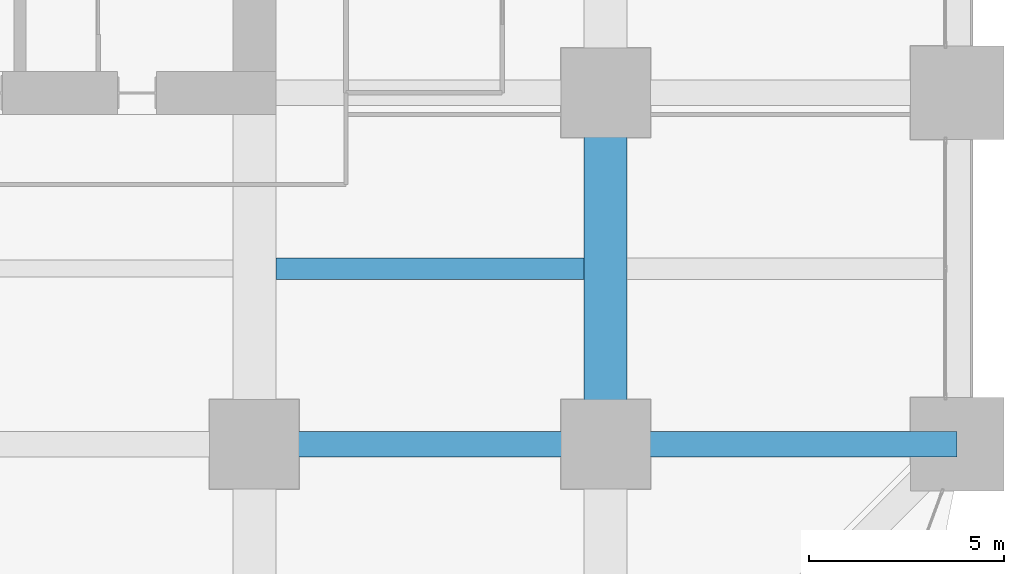
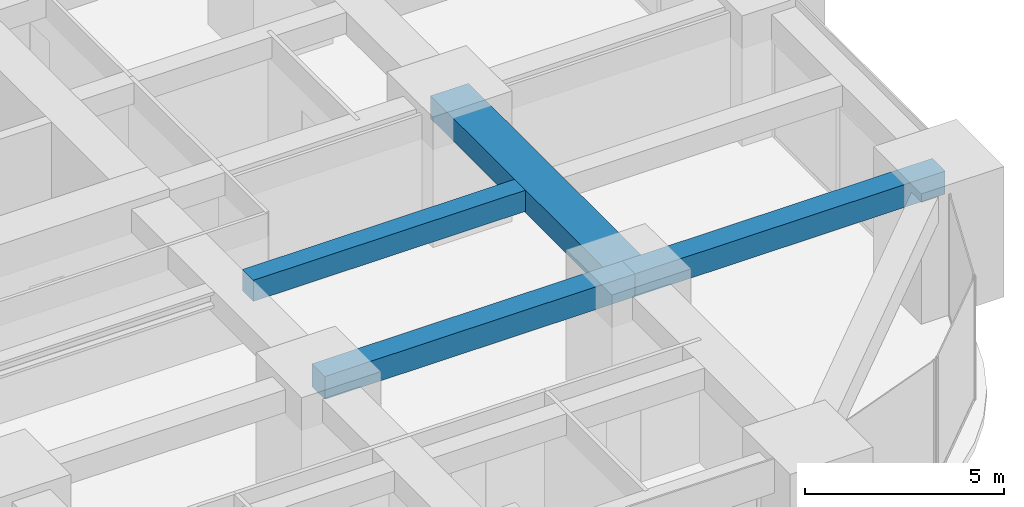
# One storey, part 17 of 45: 4 beams.
"""IFC4 building model written with IfcOpenShell, lengths in metres."""

import ifcopenshell
import ifcopenshell.guid

model = None  # the IFC model being written
_history = None  # IfcOwnerHistory: only IFC2X3 demands one
_inside = {}  # id of a spatial element -> (the spatial element, [elements in it])
_under = {}  # id of a project, library or spatial element -> (it, [spatial elements below it])
_declared = {}  # id of a project -> (the project, [libraries it declares])
_typed = {}  # id of a type object -> (the type object, [elements of that type])
_made_of = {}  # id of a material, layer set ... -> (it, [elements and type objects made of it])


def new_model(schema):
    """Start an empty IFC model of exactly this schema.

    Asked for "IFC4X3", IfcOpenShell would pick the latest addendum, in which some entities
    have other attributes; the version numbers below select the first issue.
    IFC2X3 requires an IfcOwnerHistory on every rooted entity: one is made here for all.
    """
    global model, _history
    if schema == "IFC4X3":
        model = ifcopenshell.file(schema_version=(4, 3, 0, 0))
    else:
        model = ifcopenshell.file(schema=schema)
    _inside.clear()
    _under.clear()
    _declared.clear()
    _typed.clear()
    _made_of.clear()
    _history = None
    if model.schema == "IFC2X3":
        org = make("IfcOrganization", Name="unknown")
        user = make(
            "IfcPersonAndOrganization",
            ThePerson=make("IfcPerson", FamilyName="unknown"),
            TheOrganization=org,
        )
        app = make(
            "IfcApplication",
            ApplicationDeveloper=org,
            Version="unknown",
            ApplicationFullName="unknown",
            ApplicationIdentifier="unknown",
        )
        _history = make(
            "IfcOwnerHistory",
            OwningUser=user,
            OwningApplication=app,
            ChangeAction="ADDED",
            CreationDate=0,
        )
    return model


def make(cls, **values):
    """One entity of the class cls with the attributes given. An attribute that is None is left unset."""
    return model.create_entity(
        cls, **{name: value for name, value in values.items() if value is not None}
    )


def rooted(cls, **values):
    """An entity with a GlobalId (a new one), such as an element, a storey or a relation."""
    return make(cls, GlobalId=ifcopenshell.guid.new(), OwnerHistory=_history, **values)


def si_unit(unit_type, name, prefix=None):
    """IfcSIUnit, for example si_unit("LENGTHUNIT", "METRE", prefix="MILLI")."""
    return make("IfcSIUnit", UnitType=unit_type, Prefix=prefix, Name=name)


def assignment(units):
    """IfcUnitAssignment: the units of a project."""
    return None if units is None else make("IfcUnitAssignment", Units=units)


def point(xyz):
    """IfcCartesianPoint."""
    return None if xyz is None else make("IfcCartesianPoint", Coordinates=xyz)


def direction(xyz):
    """IfcDirection."""
    return None if xyz is None else make("IfcDirection", DirectionRatios=xyz)


def frame(location, z_axis=None, x_axis=None):
    """IfcAxis2Placement3D, a coordinate frame: its origin and axes. An axis left out is left unset."""
    return make(
        "IfcAxis2Placement3D",
        Location=point(location),
        Axis=direction(z_axis),
        RefDirection=direction(x_axis),
    )


def frame_2d(location, x_axis=None):
    """IfcAxis2Placement2D, a coordinate frame in the plane: its origin and x axis."""
    return make(
        "IfcAxis2Placement2D", Location=point(location), RefDirection=direction(x_axis)
    )


def origin():
    """The frame at (0, 0, 0) with its axes left unset."""
    return frame((0.0, 0.0, 0.0))


def origin_2d():
    """The frame at (0, 0) in the plane with its x axis left unset."""
    return frame_2d((0.0, 0.0))


def place(relative_to, where):
    """IfcLocalPlacement: puts the frame where relative to a parent placement (None: the world)."""
    return make(
        "IfcLocalPlacement", PlacementRelTo=relative_to, RelativePlacement=where
    )


def context(
    kind, dimensions, precision=None, world=None, true_north=None, identifier=None
):
    """IfcGeometricRepresentationContext, for example the 3D "Model" context."""
    return make(
        "IfcGeometricRepresentationContext",
        ContextIdentifier=identifier,
        ContextType=kind,
        CoordinateSpaceDimension=dimensions,
        Precision=precision,
        WorldCoordinateSystem=world,
        TrueNorth=true_north,
    )


def subcontext(parent, identifier, kind, view, scale=None):
    """IfcGeometricRepresentationSubContext, for example "Body" below "Model"."""
    return make(
        "IfcGeometricRepresentationSubContext",
        ContextIdentifier=identifier,
        ContextType=kind,
        ParentContext=parent,
        TargetScale=scale,
        TargetView=view,
    )


def project(units=None, contexts=None):
    """IfcProject with its units and contexts."""
    return rooted(
        "IfcProject",
        Name="project",
        RepresentationContexts=contexts,
        UnitsInContext=assignment(units),
    )


def spatial(cls, under=None, at=None, **own):
    """A site, building, storey or space (cls), placed at a placement, below another one or the project."""
    s = rooted(cls, ObjectPlacement=at, **own)
    if under is not None:
        _under.setdefault(under.id(), (under, []))[1].append(s)
    return s


def profile(cls, at=None, kind="AREA", **sizes):
    """A parametric profile (cls). Its sizes go by their IFC names, for example OverallWidth=200.0."""
    return make(cls, ProfileType=kind, Position=at, **sizes)


def rectangle(**sizes):
    """IfcRectangleProfileDef."""
    return profile("IfcRectangleProfileDef", **sizes)


def extrude(swept, where, along, depth):
    """IfcExtrudedAreaSolid: the profile swept, set in the frame where, extruded along a direction by depth."""
    return make(
        "IfcExtrudedAreaSolid",
        SweptArea=swept,
        Position=where,
        ExtrudedDirection=direction(along),
        Depth=depth,
    )


def shape(context_of_items, identifier, shape_type, items):
    """IfcShapeRepresentation: the items that make up one representation, for example the "Body"."""
    return make(
        "IfcShapeRepresentation",
        ContextOfItems=context_of_items,
        RepresentationIdentifier=identifier,
        RepresentationType=shape_type,
        Items=items,
    )


def material(Name=None, Category=None):
    """IfcMaterial."""
    return make("IfcMaterial", Name=Name, Category=Category)


def material_profile(
    of_material, cross_section, Name=None, Category=None, Priority=None
):
    """IfcMaterialProfile: a cross section and its material."""
    return make(
        "IfcMaterialProfile",
        Name=Name,
        Material=of_material,
        Profile=cross_section,
        Priority=Priority,
        Category=Category,
    )


def profile_set(profiles, Name=None, composite=None):
    """IfcMaterialProfileSet."""
    return make(
        "IfcMaterialProfileSet",
        Name=Name,
        MaterialProfiles=profiles,
        CompositeProfile=composite,
    )


def made_of(thing, what):
    """Note that an element or type object is made of a material, layer set ...; save() writes the relation."""
    if what is not None:
        _made_of.setdefault(what.id(), (what, []))[1].append(thing)
    return thing


def type_object(cls, material=None, **own):
    """A type object (cls), such as IfcWallType, which elements share."""
    return made_of(rooted(cls, **own), material)


def element(
    cls,
    number,
    at=None,
    inside=None,
    cuts=None,
    type_object=None,
    material=None,
    context=None,
    identifier="Body",
    shape_type=None,
    held_by="IfcProductDefinitionShape",
    body=None,
    shapes=None,
    **own,
):
    """One element of the class cls, such as IfcWall. Its Tag is "e" and its number.

    at: its placement. inside: the storey or other place that contains it. cuts: it is an
    opening in that element (IfcRelVoidsElement). A single representation is given by context,
    identifier, shape_type and body (its items); several are given by shapes. held_by: the class
    of the entity that holds the representations. save() writes the other relations.
    """
    e = rooted(cls, Tag="e%d" % number, ObjectPlacement=at, **own)
    if body is not None:
        shapes = [shape(context, identifier, shape_type, body)]
    if shapes is not None:
        e.Representation = make(held_by, Representations=shapes)
    if inside is not None:
        _inside.setdefault(inside.id(), (inside, []))[1].append(e)
    if cuts is not None:
        rooted(
            "IfcRelVoidsElement", RelatingBuildingElement=cuts, RelatedOpeningElement=e
        )
    if type_object is not None:
        _typed.setdefault(type_object.id(), (type_object, []))[1].append(e)
    return made_of(e, material)


def aggregate(whole, parts):
    """IfcRelAggregates: a whole, such as a stair, and the parts it consists of."""
    return rooted("IfcRelAggregates", RelatingObject=whole, RelatedObjects=parts)


def save(model, path):
    """Write the relations noted so far, then the file.

    IfcRelAggregates (storeys below a building ...), IfcRelContainedInSpatialStructure (elements
    in a storey), IfcRelDefinesByType, IfcRelAssociatesMaterial and IfcRelDeclares: one each for
    every whole, place, type object, material and project.
    """
    for whole, parts in _under.values():
        aggregate(whole, parts)
    for where, things in _inside.values():
        rooted(
            "IfcRelContainedInSpatialStructure",
            RelatedElements=things,
            RelatingStructure=where,
        )
    for kind, things in _typed.values():
        rooted("IfcRelDefinesByType", RelatedObjects=things, RelatingType=kind)
    for what, things in _made_of.values():
        rooted("IfcRelAssociatesMaterial", RelatedObjects=things, RelatingMaterial=what)
    for by, libraries in _declared.values():
        rooted("IfcRelDeclares", RelatingContext=by, RelatedDefinitions=libraries)
    model.write(path)


model = new_model("IFC4")

# Units and contexts
model_context = context("Model", 3, precision=1e-05, world=origin(), true_north=direction((0.0, 1.0)))
body_context = subcontext(model_context, "Body", "Model", "MODEL_VIEW")
ifc_project = project(units=[si_unit("LENGTHUNIT", "METRE"), si_unit("AREAUNIT", "SQUARE_METRE"), si_unit("VOLUMEUNIT", "CUBIC_METRE"), si_unit("PLANEANGLEUNIT", "RADIAN"), si_unit("MASSUNIT", "GRAM", prefix="KILO")], contexts=[model_context])

# Site, building, storey
site_placement = place(None, origin())
site = spatial("IfcSite", under=ifc_project, at=site_placement, CompositionType="ELEMENT")
building_placement = place(site_placement, origin())
building = spatial("IfcBuilding", under=site, at=building_placement, Name="Zorevar Civic Tower", CompositionType="ELEMENT")
storey_placement = place(building_placement, frame((0.0, 0.0, 47.800048828125)))
storey = spatial("IfcBuildingStorey", under=building, at=storey_placement, Name="L11", CompositionType="ELEMENT", Elevation=47.800048828125)

# Beams
ifc_material_1 = material(Name="Concrete C50/60", Category="concrete")
ifc_material_profile_1 = material_profile(ifc_material_1, rectangle(XDim=1.10009765625, YDim=0.699951171875, at=origin_2d()), Name="RC 1100x700")
ifc_profile_set_1 = profile_set([ifc_material_profile_1], Name="Concrete C50/60")
beam_type_1 = type_object("IfcBeamType", Name="Beam RC 1100x700", PredefinedType="BEAM", material=ifc_profile_set_1)
beam_1_placement = place(storey_placement, frame((54.0, 9.0, 3.39990234375), z_axis=(0.0, 1.0, 0.0), x_axis=(-1.0, 0.0, 0.0)))
element("IfcBeam", 1, at=beam_1_placement, inside=storey, type_object=beam_type_1, Name="Girder L12", PredefinedType="BEAM", context=body_context, shape_type="SweptSolid", body=[
    extrude(rectangle(XDim=1.10009765625, YDim=0.699951171875, at=origin_2d()), origin(), (0.0, 0.0, 1.0), 9.0),
])
ifc_material_2 = material(Name="Concrete C50/60", Category="concrete")
ifc_material_profile_2 = material_profile(ifc_material_2, rectangle(XDim=0.550048828125, YDim=0.64990234375, at=origin_2d()), Name="RC 550x650")
ifc_profile_set_2 = profile_set([ifc_material_profile_2], Name="Concrete C50/60")
beam_type_2 = type_object("IfcBeamType", Name="Beam RC 550x650", PredefinedType="BEAM", material=ifc_profile_set_2)
beam_2_placement = place(storey_placement, frame((45.550048828125, 13.5, 3.425048828125), z_axis=(1.0, 0.0, 0.0), x_axis=(0.0, 1.0, 0.0)))
element("IfcBeam", 2, at=beam_2_placement, inside=storey, type_object=beam_type_2, Name="Secondary beam L12", PredefinedType="BEAM", context=body_context, shape_type="SweptSolid", body=[
    extrude(rectangle(XDim=0.550048828125, YDim=0.64990234375, at=origin_2d()), origin(), (0.0, 0.0, 1.0), 7.89990234375),
])
ifc_material_3 = material(Name="Concrete C50/60", Category="concrete")
ifc_material_profile_3 = material_profile(ifc_material_3, rectangle(XDim=0.64990234375, YDim=0.699951171875, at=origin_2d()), Name="RC 650x700")
ifc_profile_set_3 = profile_set([ifc_material_profile_3], Name="Concrete C50/60")
beam_type_3 = type_object("IfcBeamType", Name="Beam RC 650x700", PredefinedType="BEAM", material=ifc_profile_set_3)
for number, where, z_axis, x_axis, name in (
    (3, (45.0, 9.0, 3.39990234375), (1.0, 0.0, 0.0), (0.0, 1.0, 0.0), "Girder L12"),
    (4, (54.0, 9.0, 3.39990234375), (1.0, 0.0, 0.0), (0.0, 1.0, 0.0), "Girder L12"),
):
    element("IfcBeam", number, at=place(storey_placement, frame(where, z_axis=z_axis, x_axis=x_axis)), inside=storey, type_object=beam_type_3, Name=name, PredefinedType="BEAM", context=body_context, shape_type="SweptSolid", body=[
        extrude(rectangle(XDim=0.64990234375, YDim=0.699951171875, at=origin_2d()), origin(), (0.0, 0.0, 1.0), 9.0),
    ])

save(model, "model.ifc")
